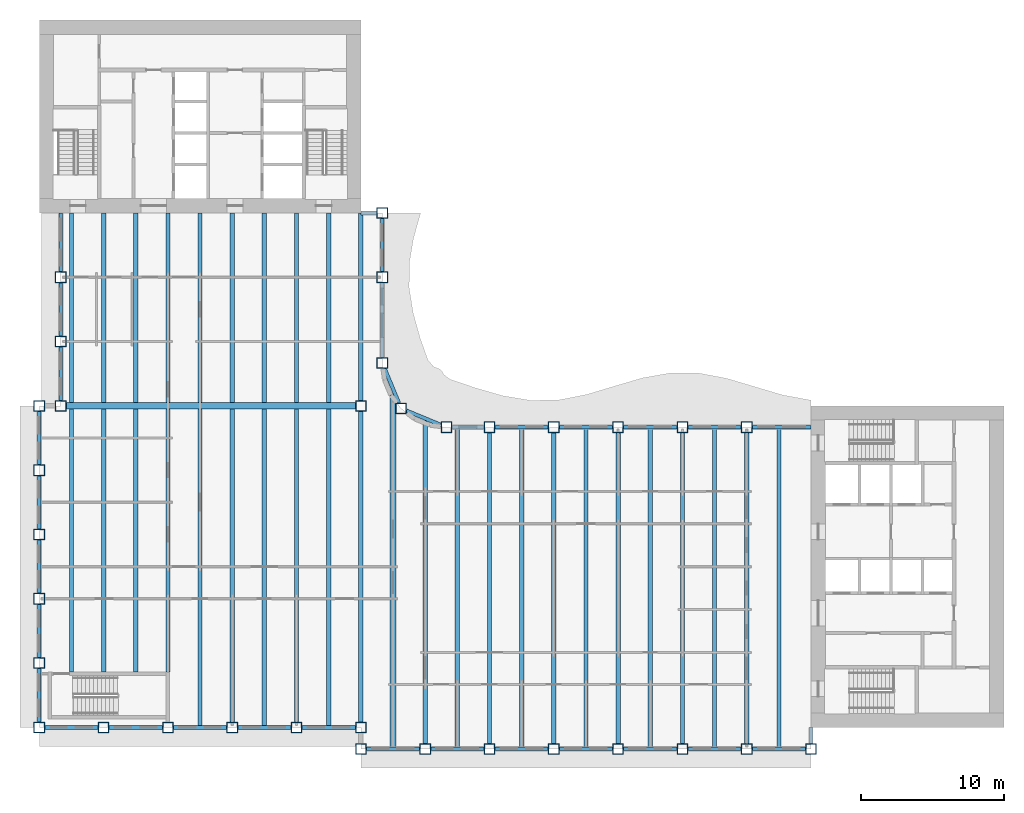
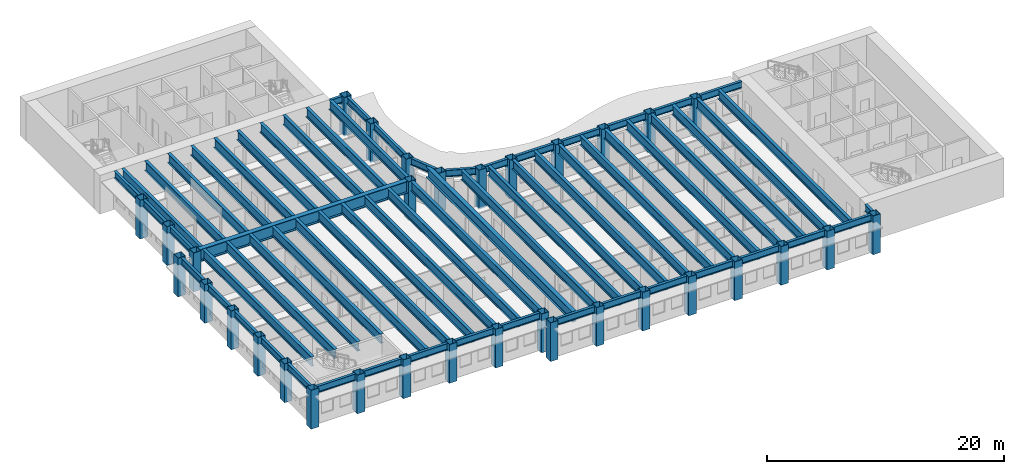
# One storey, part 1 of 17: 66 beams, 33 columns.
"""IFC4 building model written with IfcOpenShell, lengths in metres."""

import ifcopenshell
import ifcopenshell.guid

model = None  # the IFC model being written
_history = None  # IfcOwnerHistory: only IFC2X3 demands one
_inside = {}  # id of a spatial element -> (the spatial element, [elements in it])
_under = {}  # id of a project, library or spatial element -> (it, [spatial elements below it])
_declared = {}  # id of a project -> (the project, [libraries it declares])
_typed = {}  # id of a type object -> (the type object, [elements of that type])
_made_of = {}  # id of a material, layer set ... -> (it, [elements and type objects made of it])


def new_model(schema):
    """Start an empty IFC model of exactly this schema.

    Asked for "IFC4X3", IfcOpenShell would pick the latest addendum, in which some entities
    have other attributes; the version numbers below select the first issue.
    IFC2X3 requires an IfcOwnerHistory on every rooted entity: one is made here for all.
    """
    global model, _history
    if schema == "IFC4X3":
        model = ifcopenshell.file(schema_version=(4, 3, 0, 0))
    else:
        model = ifcopenshell.file(schema=schema)
    _inside.clear()
    _under.clear()
    _declared.clear()
    _typed.clear()
    _made_of.clear()
    _history = None
    if model.schema == "IFC2X3":
        org = make("IfcOrganization", Name="unknown")
        user = make(
            "IfcPersonAndOrganization",
            ThePerson=make("IfcPerson", FamilyName="unknown"),
            TheOrganization=org,
        )
        app = make(
            "IfcApplication",
            ApplicationDeveloper=org,
            Version="unknown",
            ApplicationFullName="unknown",
            ApplicationIdentifier="unknown",
        )
        _history = make(
            "IfcOwnerHistory",
            OwningUser=user,
            OwningApplication=app,
            ChangeAction="ADDED",
            CreationDate=0,
        )
    return model


def make(cls, **values):
    """One entity of the class cls with the attributes given. An attribute that is None is left unset."""
    return model.create_entity(
        cls, **{name: value for name, value in values.items() if value is not None}
    )


def rooted(cls, **values):
    """An entity with a GlobalId (a new one), such as an element, a storey or a relation."""
    return make(cls, GlobalId=ifcopenshell.guid.new(), OwnerHistory=_history, **values)


def si_unit(unit_type, name, prefix=None):
    """IfcSIUnit, for example si_unit("LENGTHUNIT", "METRE", prefix="MILLI")."""
    return make("IfcSIUnit", UnitType=unit_type, Prefix=prefix, Name=name)


def assignment(units):
    """IfcUnitAssignment: the units of a project."""
    return None if units is None else make("IfcUnitAssignment", Units=units)


def point(xyz):
    """IfcCartesianPoint."""
    return None if xyz is None else make("IfcCartesianPoint", Coordinates=xyz)


def direction(xyz):
    """IfcDirection."""
    return None if xyz is None else make("IfcDirection", DirectionRatios=xyz)


def frame(location, z_axis=None, x_axis=None):
    """IfcAxis2Placement3D, a coordinate frame: its origin and axes. An axis left out is left unset."""
    return make(
        "IfcAxis2Placement3D",
        Location=point(location),
        Axis=direction(z_axis),
        RefDirection=direction(x_axis),
    )


def frame_2d(location, x_axis=None):
    """IfcAxis2Placement2D, a coordinate frame in the plane: its origin and x axis."""
    return make(
        "IfcAxis2Placement2D", Location=point(location), RefDirection=direction(x_axis)
    )


def origin():
    """The frame at (0, 0, 0) with its axes left unset."""
    return frame((0.0, 0.0, 0.0))


def origin_2d():
    """The frame at (0, 0) in the plane with its x axis left unset."""
    return frame_2d((0.0, 0.0))


def place(relative_to, where):
    """IfcLocalPlacement: puts the frame where relative to a parent placement (None: the world)."""
    return make(
        "IfcLocalPlacement", PlacementRelTo=relative_to, RelativePlacement=where
    )


def context(
    kind, dimensions, precision=None, world=None, true_north=None, identifier=None
):
    """IfcGeometricRepresentationContext, for example the 3D "Model" context."""
    return make(
        "IfcGeometricRepresentationContext",
        ContextIdentifier=identifier,
        ContextType=kind,
        CoordinateSpaceDimension=dimensions,
        Precision=precision,
        WorldCoordinateSystem=world,
        TrueNorth=true_north,
    )


def subcontext(parent, identifier, kind, view, scale=None):
    """IfcGeometricRepresentationSubContext, for example "Body" below "Model"."""
    return make(
        "IfcGeometricRepresentationSubContext",
        ContextIdentifier=identifier,
        ContextType=kind,
        ParentContext=parent,
        TargetScale=scale,
        TargetView=view,
    )


def project(units=None, contexts=None):
    """IfcProject with its units and contexts."""
    return rooted(
        "IfcProject",
        Name="project",
        RepresentationContexts=contexts,
        UnitsInContext=assignment(units),
    )


def spatial(cls, under=None, at=None, **own):
    """A site, building, storey or space (cls), placed at a placement, below another one or the project."""
    s = rooted(cls, ObjectPlacement=at, **own)
    if under is not None:
        _under.setdefault(under.id(), (under, []))[1].append(s)
    return s


def profile(cls, at=None, kind="AREA", **sizes):
    """A parametric profile (cls). Its sizes go by their IFC names, for example OverallWidth=200.0."""
    return make(cls, ProfileType=kind, Position=at, **sizes)


def hollow_rectangle(**sizes):
    """IfcRectangleHollowProfileDef."""
    return profile("IfcRectangleHollowProfileDef", **sizes)


def i_section(**sizes):
    """IfcIShapeProfileDef."""
    return profile("IfcIShapeProfileDef", **sizes)


def extrude(swept, where, along, depth):
    """IfcExtrudedAreaSolid: the profile swept, set in the frame where, extruded along a direction by depth."""
    return make(
        "IfcExtrudedAreaSolid",
        SweptArea=swept,
        Position=where,
        ExtrudedDirection=direction(along),
        Depth=depth,
    )


def shape(context_of_items, identifier, shape_type, items):
    """IfcShapeRepresentation: the items that make up one representation, for example the "Body"."""
    return make(
        "IfcShapeRepresentation",
        ContextOfItems=context_of_items,
        RepresentationIdentifier=identifier,
        RepresentationType=shape_type,
        Items=items,
    )


def material(Name=None, Category=None):
    """IfcMaterial."""
    return make("IfcMaterial", Name=Name, Category=Category)


def material_profile(
    of_material, cross_section, Name=None, Category=None, Priority=None
):
    """IfcMaterialProfile: a cross section and its material."""
    return make(
        "IfcMaterialProfile",
        Name=Name,
        Material=of_material,
        Profile=cross_section,
        Priority=Priority,
        Category=Category,
    )


def profile_set(profiles, Name=None, composite=None):
    """IfcMaterialProfileSet."""
    return make(
        "IfcMaterialProfileSet",
        Name=Name,
        MaterialProfiles=profiles,
        CompositeProfile=composite,
    )


def made_of(thing, what):
    """Note that an element or type object is made of a material, layer set ...; save() writes the relation."""
    if what is not None:
        _made_of.setdefault(what.id(), (what, []))[1].append(thing)
    return thing


def type_object(cls, material=None, **own):
    """A type object (cls), such as IfcWallType, which elements share."""
    return made_of(rooted(cls, **own), material)


def element(
    cls,
    number,
    at=None,
    inside=None,
    cuts=None,
    type_object=None,
    material=None,
    context=None,
    identifier="Body",
    shape_type=None,
    held_by="IfcProductDefinitionShape",
    body=None,
    shapes=None,
    **own,
):
    """One element of the class cls, such as IfcWall. Its Tag is "e" and its number.

    at: its placement. inside: the storey or other place that contains it. cuts: it is an
    opening in that element (IfcRelVoidsElement). A single representation is given by context,
    identifier, shape_type and body (its items); several are given by shapes. held_by: the class
    of the entity that holds the representations. save() writes the other relations.
    """
    e = rooted(cls, Tag="e%d" % number, ObjectPlacement=at, **own)
    if body is not None:
        shapes = [shape(context, identifier, shape_type, body)]
    if shapes is not None:
        e.Representation = make(held_by, Representations=shapes)
    if inside is not None:
        _inside.setdefault(inside.id(), (inside, []))[1].append(e)
    if cuts is not None:
        rooted(
            "IfcRelVoidsElement", RelatingBuildingElement=cuts, RelatedOpeningElement=e
        )
    if type_object is not None:
        _typed.setdefault(type_object.id(), (type_object, []))[1].append(e)
    return made_of(e, material)


def aggregate(whole, parts):
    """IfcRelAggregates: a whole, such as a stair, and the parts it consists of."""
    return rooted("IfcRelAggregates", RelatingObject=whole, RelatedObjects=parts)


def save(model, path):
    """Write the relations noted so far, then the file.

    IfcRelAggregates (storeys below a building ...), IfcRelContainedInSpatialStructure (elements
    in a storey), IfcRelDefinesByType, IfcRelAssociatesMaterial and IfcRelDeclares: one each for
    every whole, place, type object, material and project.
    """
    for whole, parts in _under.values():
        aggregate(whole, parts)
    for where, things in _inside.values():
        rooted(
            "IfcRelContainedInSpatialStructure",
            RelatedElements=things,
            RelatingStructure=where,
        )
    for kind, things in _typed.values():
        rooted("IfcRelDefinesByType", RelatedObjects=things, RelatingType=kind)
    for what, things in _made_of.values():
        rooted("IfcRelAssociatesMaterial", RelatedObjects=things, RelatingMaterial=what)
    for by, libraries in _declared.values():
        rooted("IfcRelDeclares", RelatingContext=by, RelatedDefinitions=libraries)
    model.write(path)


model = new_model("IFC4")

# Units and contexts
model_context = context("Model", 3, precision=1e-05, world=origin(), true_north=direction((0.0, 1.0)))
body_context = subcontext(model_context, "Body", "Model", "MODEL_VIEW")
ifc_project = project(units=[si_unit("LENGTHUNIT", "METRE"), si_unit("AREAUNIT", "SQUARE_METRE"), si_unit("VOLUMEUNIT", "CUBIC_METRE"), si_unit("PLANEANGLEUNIT", "RADIAN"), si_unit("MASSUNIT", "GRAM", prefix="KILO")], contexts=[model_context])

# Site, building, storey
site_placement = place(None, origin())
site = spatial("IfcSite", under=ifc_project, at=site_placement, CompositionType="ELEMENT")
building_placement = place(site_placement, origin())
building = spatial("IfcBuilding", under=site, at=building_placement, Name="Sennacour Bend Tower", CompositionType="ELEMENT")
storey_placement = place(building_placement, frame((0.0, 0.0, 195.0)))
storey = spatial("IfcBuildingStorey", under=building, at=storey_placement, Name="L44", CompositionType="ELEMENT", Elevation=195.0)

# Columns
ifc_material_1 = material(Name="Steel ASTM A572 Grade 50", Category="steel")
ifc_material_profile_1 = material_profile(ifc_material_1, hollow_rectangle(XDim=0.75, YDim=0.75, WallThickness=0.035888671875, at=origin_2d()), Name="Steel ASTM A572 Grade 50", Category="steel")
ifc_profile_set_1 = profile_set([ifc_material_profile_1], Name="Steel ASTM A572 Grade 50")
column_type = type_object("IfcColumnType", Name="Box column 750", PredefinedType="COLUMN", material=ifc_profile_set_1)
for number, where, z_axis, x_axis, name in (
    (1, (0.0, 0.0, -0.14990234375), (0.0, 0.0, 1.0), (1.0, 0.0, 0.0), "Perimeter column C4 L44-001"),
    (2, (0.0, 4.5, -0.14990234375), (0.0, 0.0, 1.0), (1.0, 0.0, 0.0), "Perimeter column C4 L44-002"),
    (3, (0.0, 9.0, -0.14990234375), (0.0, 0.0, 1.0), (1.0, 0.0, 0.0), "Perimeter column C4 L44-003"),
    (4, (0.0, 13.5, -0.14990234375), (0.0, 0.0, 1.0), (1.0, 0.0, 0.0), "Perimeter column C4 L44-004"),
    (5, (0.0, 18.0, -0.14990234375), (0.0, 0.0, 1.0), (1.0, 0.0, 0.0), "Perimeter column C4 L44-005"),
    (6, (0.0, 22.5, -0.14990234375), (0.0, 0.0, 1.0), (1.0, 0.0, 0.0), "Perimeter column C4 L44-006"),
    (7, (1.5, 22.5, -0.14990234375), (0.0, 0.0, 1.0), (1.0, 0.0, 0.0), "Perimeter column C4 L44-007"),
    (8, (1.5, 27.0, -0.14990234375), (0.0, 0.0, 1.0), (1.0, 0.0, 0.0), "Perimeter column C4 L44-008"),
    (9, (1.5, 31.5, -0.14990234375), (0.0, 0.0, 1.0), (1.0, 0.0, 0.0), "Perimeter column C4 L44-009"),
    (10, (4.5, 0.0, -0.14990234375), (0.0, 0.0, 1.0), (1.0, 0.0, 0.0), "Perimeter column C4 L44-010"),
    (11, (9.0, 0.0, -0.14990234375), (0.0, 0.0, 1.0), (1.0, 0.0, 0.0), "Perimeter column C4 L44-011"),
    (12, (13.5, 0.0, -0.14990234375), (0.0, 0.0, 1.0), (1.0, 0.0, 0.0), "Perimeter column C4 L44-012"),
    (13, (18.0, 0.0, -0.14990234375), (0.0, 0.0, 1.0), (1.0, 0.0, 0.0), "Perimeter column C4 L44-013"),
    (14, (22.5, -1.5, -0.14990234375), (0.0, 0.0, 1.0), (1.0, 0.0, 0.0), "Perimeter column C4 L44-014"),
    (15, (22.5, 0.0, -0.14990234375), (0.0, 0.0, 1.0), (1.0, 0.0, 0.0), "Perimeter column C4 L44-015"),
    (16, (22.5, 22.5, -0.14990234375), (0.0, 0.0, 1.0), (1.0, 0.0, 0.0), "Knuckle column C4 L44-016"),
    (17, (24.0, 25.5, -0.14990234375), (0.0, 0.0, 1.0), (1.0, 0.0, 0.0), "Perimeter column C4 L44-017"),
    (18, (24.0, 31.5, -0.14990234375), (0.0, 0.0, 1.0), (1.0, 0.0, 0.0), "Perimeter column C4 L44-018"),
    (19, (24.0, 36.0, -0.14990234375), (0.0, 0.0, 1.0), (1.0, 0.0, 0.0), "Perimeter column C4 L44-019"),
    (20, (25.318115234375, 22.318115234375, -0.14990234375), (0.0, 0.0, 1.0), (1.0, 0.0, 0.0), "Perimeter column C4 L44-020"),
    (21, (27.0, -1.5, -0.14990234375), (0.0, 0.0, 1.0), (1.0, 0.0, 0.0), "Perimeter column C4 L44-021"),
    (22, (28.5, 21.0, -0.14990234375), (0.0, 0.0, 1.0), (1.0, 0.0, 0.0), "Perimeter column C4 L44-022"),
    (23, (31.5, -1.5, -0.14990234375), (0.0, 0.0, 1.0), (1.0, 0.0, 0.0), "Perimeter column C4 L44-023"),
    (24, (31.5, 21.0, -0.14990234375), (0.0, 0.0, 1.0), (1.0, 0.0, 0.0), "Perimeter column C4 L44-024"),
    (25, (36.0, -1.5, -0.14990234375), (0.0, 0.0, 1.0), (1.0, 0.0, 0.0), "Perimeter column C4 L44-025"),
    (26, (36.0, 21.0, -0.14990234375), (0.0, 0.0, 1.0), (1.0, 0.0, 0.0), "Perimeter column C4 L44-026"),
    (27, (40.5, -1.5, -0.14990234375), (0.0, 0.0, 1.0), (1.0, 0.0, 0.0), "Perimeter column C4 L44-027"),
    (28, (40.5, 21.0, -0.14990234375), (0.0, 0.0, 1.0), (1.0, 0.0, 0.0), "Perimeter column C4 L44-028"),
    (29, (45.0, -1.5, -0.14990234375), (0.0, 0.0, 1.0), (1.0, 0.0, 0.0), "Perimeter column C4 L44-029"),
    (30, (45.0, 21.0, -0.14990234375), (0.0, 0.0, 1.0), (1.0, 0.0, 0.0), "Perimeter column C4 L44-030"),
    (31, (49.5, -1.5, -0.14990234375), (0.0, 0.0, 1.0), (1.0, 0.0, 0.0), "Perimeter column C4 L44-031"),
    (32, (49.5, 21.0, -0.14990234375), (0.0, 0.0, 1.0), (1.0, 0.0, 0.0), "Perimeter column C4 L44-032"),
    (33, (54.0, -1.5, -0.14990234375), (0.0, 0.0, 1.0), (1.0, 0.0, 0.0), "Perimeter column C4 L44-033"),
):
    element("IfcColumn", number, at=place(storey_placement, frame(where, z_axis=z_axis, x_axis=x_axis)), inside=storey, type_object=column_type, Name=name, PredefinedType="COLUMN", context=body_context, shape_type="SweptSolid", body=[
        extrude(hollow_rectangle(XDim=0.75, YDim=0.75, WallThickness=0.035888671875, at=origin_2d()), origin(), (0.0, 0.0, 1.0), 4.0),
    ])

# Beams
ifc_material_2 = material(Name="Steel ASTM A992 Grade 50", Category="steel")
ifc_material_profile_2 = material_profile(ifc_material_2, i_section(OverallWidth=0.300048828125, OverallDepth=0.97998046875, WebThickness=0.0166015625, FlangeThickness=0.026123046875, FilletRadius=0.02978515625, at=origin_2d()), Name="Steel ASTM A992 Grade 50", Category="steel")
ifc_profile_set_2 = profile_set([ifc_material_profile_2], Name="Steel ASTM A992 Grade 50")
beam_type_1 = type_object("IfcBeamType", Name="Floor beam W1000X249", PredefinedType="BEAM", material=ifc_profile_set_2)
beam_1_placement = place(storey_placement, frame((2.25, 3.875, 3.360107421875), z_axis=(0.0, 1.0, 0.0), x_axis=(-1.0, 0.0, 0.0)))
element("IfcBeam", 34, at=beam_1_placement, inside=storey, type_object=beam_type_1, Name="Floor beam FBM2 L45-001", PredefinedType="BEAM", context=body_context, shape_type="SweptSolid", body=[
    extrude(i_section(OverallWidth=0.300048828125, OverallDepth=0.97998046875, WebThickness=0.0166015625, FlangeThickness=0.026123046875, FilletRadius=0.02978515625, at=origin_2d()), origin(), (0.0, 0.0, 1.0), 18.39990234375),
])
beam_2_placement = place(storey_placement, frame((2.25, 22.72509765625, 3.360107421875), z_axis=(0.0, 1.0, 0.0), x_axis=(-1.0, 0.0, 0.0)))
element("IfcBeam", 35, at=beam_2_placement, inside=storey, type_object=beam_type_1, Name="Floor beam FBM2 L45-002", PredefinedType="BEAM", context=body_context, shape_type="SweptSolid", body=[
    extrude(i_section(OverallWidth=0.300048828125, OverallDepth=0.97998046875, WebThickness=0.0166015625, FlangeThickness=0.026123046875, FilletRadius=0.02978515625, at=origin_2d()), origin(), (0.0, 0.0, 1.0), 13.27490234375),
])
beam_3_placement = place(storey_placement, frame((4.5, 3.875, 3.360107421875), z_axis=(0.0, 1.0, 0.0), x_axis=(-1.0, 0.0, 0.0)))
element("IfcBeam", 36, at=beam_3_placement, inside=storey, type_object=beam_type_1, Name="Floor beam FBM2 L45-003", PredefinedType="BEAM", context=body_context, shape_type="SweptSolid", body=[
    extrude(i_section(OverallWidth=0.300048828125, OverallDepth=0.97998046875, WebThickness=0.0166015625, FlangeThickness=0.026123046875, FilletRadius=0.02978515625, at=origin_2d()), origin(), (0.0, 0.0, 1.0), 18.39990234375),
])
beam_4_placement = place(storey_placement, frame((4.5, 22.72509765625, 3.360107421875), z_axis=(0.0, 1.0, 0.0), x_axis=(-1.0, 0.0, 0.0)))
element("IfcBeam", 37, at=beam_4_placement, inside=storey, type_object=beam_type_1, Name="Floor beam FBM2 L45-004", PredefinedType="BEAM", context=body_context, shape_type="SweptSolid", body=[
    extrude(i_section(OverallWidth=0.300048828125, OverallDepth=0.97998046875, WebThickness=0.0166015625, FlangeThickness=0.026123046875, FilletRadius=0.02978515625, at=origin_2d()), origin(), (0.0, 0.0, 1.0), 13.27490234375),
])
beam_5_placement = place(storey_placement, frame((6.75, 3.875, 3.360107421875), z_axis=(0.0, 1.0, 0.0), x_axis=(-1.0, 0.0, 0.0)))
element("IfcBeam", 38, at=beam_5_placement, inside=storey, type_object=beam_type_1, Name="Floor beam FBM2 L45-005", PredefinedType="BEAM", context=body_context, shape_type="SweptSolid", body=[
    extrude(i_section(OverallWidth=0.300048828125, OverallDepth=0.97998046875, WebThickness=0.0166015625, FlangeThickness=0.026123046875, FilletRadius=0.02978515625, at=origin_2d()), origin(), (0.0, 0.0, 1.0), 18.39990234375),
])
beam_6_placement = place(storey_placement, frame((6.75, 22.72509765625, 3.360107421875), z_axis=(0.0, 1.0, 0.0), x_axis=(-1.0, 0.0, 0.0)))
element("IfcBeam", 39, at=beam_6_placement, inside=storey, type_object=beam_type_1, Name="Floor beam FBM2 L45-006", PredefinedType="BEAM", context=body_context, shape_type="SweptSolid", body=[
    extrude(i_section(OverallWidth=0.300048828125, OverallDepth=0.97998046875, WebThickness=0.0166015625, FlangeThickness=0.026123046875, FilletRadius=0.02978515625, at=origin_2d()), origin(), (0.0, 0.0, 1.0), 13.27490234375),
])
beam_7_placement = place(storey_placement, frame((9.0, 3.875, 3.360107421875), z_axis=(0.0, 1.0, 0.0), x_axis=(-1.0, 0.0, 0.0)))
element("IfcBeam", 40, at=beam_7_placement, inside=storey, type_object=beam_type_1, Name="Floor beam FBM2 L45-007", PredefinedType="BEAM", context=body_context, shape_type="SweptSolid", body=[
    extrude(i_section(OverallWidth=0.300048828125, OverallDepth=0.97998046875, WebThickness=0.0166015625, FlangeThickness=0.026123046875, FilletRadius=0.02978515625, at=origin_2d()), origin(), (0.0, 0.0, 1.0), 18.39990234375),
])
beam_8_placement = place(storey_placement, frame((9.0, 22.72509765625, 3.360107421875), z_axis=(0.0, 1.0, 0.0), x_axis=(-1.0, 0.0, 0.0)))
element("IfcBeam", 41, at=beam_8_placement, inside=storey, type_object=beam_type_1, Name="Floor beam FBM2 L45-008", PredefinedType="BEAM", context=body_context, shape_type="SweptSolid", body=[
    extrude(i_section(OverallWidth=0.300048828125, OverallDepth=0.97998046875, WebThickness=0.0166015625, FlangeThickness=0.026123046875, FilletRadius=0.02978515625, at=origin_2d()), origin(), (0.0, 0.0, 1.0), 13.27490234375),
])
beam_9_placement = place(storey_placement, frame((11.25, 0.12841796875, 3.360107421875), z_axis=(0.0, 1.0, 0.0), x_axis=(-1.0, 0.0, 0.0)))
element("IfcBeam", 42, at=beam_9_placement, inside=storey, type_object=beam_type_1, Name="Floor beam FBM2 L45-009", PredefinedType="BEAM", context=body_context, shape_type="SweptSolid", body=[
    extrude(i_section(OverallWidth=0.300048828125, OverallDepth=0.97998046875, WebThickness=0.0166015625, FlangeThickness=0.026123046875, FilletRadius=0.02978515625, at=origin_2d()), origin(), (0.0, 0.0, 1.0), 22.146484375),
])
beam_10_placement = place(storey_placement, frame((11.25, 22.72509765625, 3.360107421875), z_axis=(0.0, 1.0, 0.0), x_axis=(-1.0, 0.0, 0.0)))
element("IfcBeam", 43, at=beam_10_placement, inside=storey, type_object=beam_type_1, Name="Floor beam FBM2 L45-010", PredefinedType="BEAM", context=body_context, shape_type="SweptSolid", body=[
    extrude(i_section(OverallWidth=0.300048828125, OverallDepth=0.97998046875, WebThickness=0.0166015625, FlangeThickness=0.026123046875, FilletRadius=0.02978515625, at=origin_2d()), origin(), (0.0, 0.0, 1.0), 13.27490234375),
])
beam_11_placement = place(storey_placement, frame((13.5, 0.375, 3.360107421875), z_axis=(0.0, 1.0, 0.0), x_axis=(-1.0, 0.0, 0.0)))
element("IfcBeam", 44, at=beam_11_placement, inside=storey, type_object=beam_type_1, Name="Floor beam FBM2 L45-011", PredefinedType="BEAM", context=body_context, shape_type="SweptSolid", body=[
    extrude(i_section(OverallWidth=0.300048828125, OverallDepth=0.97998046875, WebThickness=0.0166015625, FlangeThickness=0.026123046875, FilletRadius=0.02978515625, at=origin_2d()), origin(), (0.0, 0.0, 1.0), 21.89990234375),
])
beam_12_placement = place(storey_placement, frame((13.5, 22.72509765625, 3.360107421875), z_axis=(0.0, 1.0, 0.0), x_axis=(-1.0, 0.0, 0.0)))
element("IfcBeam", 45, at=beam_12_placement, inside=storey, type_object=beam_type_1, Name="Floor beam FBM2 L45-012", PredefinedType="BEAM", context=body_context, shape_type="SweptSolid", body=[
    extrude(i_section(OverallWidth=0.300048828125, OverallDepth=0.97998046875, WebThickness=0.0166015625, FlangeThickness=0.026123046875, FilletRadius=0.02978515625, at=origin_2d()), origin(), (0.0, 0.0, 1.0), 13.27490234375),
])
beam_13_placement = place(storey_placement, frame((15.75, 0.12841796875, 3.360107421875), z_axis=(0.0, 1.0, 0.0), x_axis=(-1.0, 0.0, 0.0)))
element("IfcBeam", 46, at=beam_13_placement, inside=storey, type_object=beam_type_1, Name="Floor beam FBM2 L45-013", PredefinedType="BEAM", context=body_context, shape_type="SweptSolid", body=[
    extrude(i_section(OverallWidth=0.300048828125, OverallDepth=0.97998046875, WebThickness=0.0166015625, FlangeThickness=0.026123046875, FilletRadius=0.02978515625, at=origin_2d()), origin(), (0.0, 0.0, 1.0), 22.146484375),
])
beam_14_placement = place(storey_placement, frame((15.75, 22.72509765625, 3.360107421875), z_axis=(0.0, 1.0, 0.0), x_axis=(-1.0, 0.0, 0.0)))
element("IfcBeam", 47, at=beam_14_placement, inside=storey, type_object=beam_type_1, Name="Floor beam FBM2 L45-014", PredefinedType="BEAM", context=body_context, shape_type="SweptSolid", body=[
    extrude(i_section(OverallWidth=0.300048828125, OverallDepth=0.97998046875, WebThickness=0.0166015625, FlangeThickness=0.026123046875, FilletRadius=0.02978515625, at=origin_2d()), origin(), (0.0, 0.0, 1.0), 13.27490234375),
])
beam_15_placement = place(storey_placement, frame((18.0, 0.375, 3.360107421875), z_axis=(0.0, 1.0, 0.0), x_axis=(-1.0, 0.0, 0.0)))
element("IfcBeam", 48, at=beam_15_placement, inside=storey, type_object=beam_type_1, Name="Floor beam FBM2 L45-015", PredefinedType="BEAM", context=body_context, shape_type="SweptSolid", body=[
    extrude(i_section(OverallWidth=0.300048828125, OverallDepth=0.97998046875, WebThickness=0.0166015625, FlangeThickness=0.026123046875, FilletRadius=0.02978515625, at=origin_2d()), origin(), (0.0, 0.0, 1.0), 21.89990234375),
])
beam_16_placement = place(storey_placement, frame((18.0, 22.72509765625, 3.360107421875), z_axis=(0.0, 1.0, 0.0), x_axis=(-1.0, 0.0, 0.0)))
element("IfcBeam", 49, at=beam_16_placement, inside=storey, type_object=beam_type_1, Name="Floor beam FBM2 L45-016", PredefinedType="BEAM", context=body_context, shape_type="SweptSolid", body=[
    extrude(i_section(OverallWidth=0.300048828125, OverallDepth=0.97998046875, WebThickness=0.0166015625, FlangeThickness=0.026123046875, FilletRadius=0.02978515625, at=origin_2d()), origin(), (0.0, 0.0, 1.0), 13.27490234375),
])
beam_17_placement = place(storey_placement, frame((20.25, 0.12841796875, 3.360107421875), z_axis=(0.0, 1.0, 0.0), x_axis=(-1.0, 0.0, 0.0)))
element("IfcBeam", 50, at=beam_17_placement, inside=storey, type_object=beam_type_1, Name="Floor beam FBM2 L45-017", PredefinedType="BEAM", context=body_context, shape_type="SweptSolid", body=[
    extrude(i_section(OverallWidth=0.300048828125, OverallDepth=0.97998046875, WebThickness=0.0166015625, FlangeThickness=0.026123046875, FilletRadius=0.02978515625, at=origin_2d()), origin(), (0.0, 0.0, 1.0), 22.146484375),
])
beam_18_placement = place(storey_placement, frame((20.25, 22.72509765625, 3.360107421875), z_axis=(0.0, 1.0, 0.0), x_axis=(-1.0, 0.0, 0.0)))
element("IfcBeam", 51, at=beam_18_placement, inside=storey, type_object=beam_type_1, Name="Floor beam FBM2 L45-018", PredefinedType="BEAM", context=body_context, shape_type="SweptSolid", body=[
    extrude(i_section(OverallWidth=0.300048828125, OverallDepth=0.97998046875, WebThickness=0.0166015625, FlangeThickness=0.026123046875, FilletRadius=0.02978515625, at=origin_2d()), origin(), (0.0, 0.0, 1.0), 13.27490234375),
])
beam_19_placement = place(storey_placement, frame((22.5, 0.375, 3.360107421875), z_axis=(0.0, 1.0, 0.0), x_axis=(-1.0, 0.0, 0.0)))
element("IfcBeam", 52, at=beam_19_placement, inside=storey, type_object=beam_type_1, Name="Floor beam FBM2 L45-019", PredefinedType="BEAM", context=body_context, shape_type="SweptSolid", body=[
    extrude(i_section(OverallWidth=0.300048828125, OverallDepth=0.97998046875, WebThickness=0.0166015625, FlangeThickness=0.026123046875, FilletRadius=0.02978515625, at=origin_2d()), origin(), (0.0, 0.0, 1.0), 21.75),
])
beam_20_placement = place(storey_placement, frame((22.5, 22.875, 3.360107421875), z_axis=(0.0, 1.0, 0.0), x_axis=(-1.0, 0.0, 0.0)))
element("IfcBeam", 53, at=beam_20_placement, inside=storey, type_object=beam_type_1, Name="Floor beam FBM2 L45-020", PredefinedType="BEAM", context=body_context, shape_type="SweptSolid", body=[
    extrude(i_section(OverallWidth=0.300048828125, OverallDepth=0.97998046875, WebThickness=0.0166015625, FlangeThickness=0.026123046875, FilletRadius=0.02978515625, at=origin_2d()), origin(), (0.0, 0.0, 1.0), 13.125),
])
beam_21_placement = place(storey_placement, frame((27.0, -1.125, 3.360107421875), z_axis=(0.0, 1.0, 0.0), x_axis=(-1.0, 0.0, 0.0)))
element("IfcBeam", 54, at=beam_21_placement, inside=storey, type_object=beam_type_1, Name="Floor beam FBM2 L45-022", PredefinedType="BEAM", context=body_context, shape_type="SweptSolid", body=[
    extrude(i_section(OverallWidth=0.300048828125, OverallDepth=0.97998046875, WebThickness=0.0166015625, FlangeThickness=0.026123046875, FilletRadius=0.02978515625, at=origin_2d()), origin(), (0.0, 0.0, 1.0), 22.607177734375),
])
beam_22_placement = place(storey_placement, frame((29.25, -1.37158203125, 3.360107421875), z_axis=(0.0, 1.0, 0.0), x_axis=(-1.0, 0.0, 0.0)))
element("IfcBeam", 55, at=beam_22_placement, inside=storey, type_object=beam_type_1, Name="Floor beam FBM2 L45-023", PredefinedType="BEAM", context=body_context, shape_type="SweptSolid", body=[
    extrude(i_section(OverallWidth=0.300048828125, OverallDepth=0.97998046875, WebThickness=0.0166015625, FlangeThickness=0.026123046875, FilletRadius=0.02978515625, at=origin_2d()), origin(), (0.0, 0.0, 1.0), 22.2431640625),
])
beam_23_placement = place(storey_placement, frame((31.5, -1.125, 3.360107421875), z_axis=(0.0, 1.0, 0.0), x_axis=(-1.0, 0.0, 0.0)))
element("IfcBeam", 56, at=beam_23_placement, inside=storey, type_object=beam_type_1, Name="Floor beam FBM2 L45-024", PredefinedType="BEAM", context=body_context, shape_type="SweptSolid", body=[
    extrude(i_section(OverallWidth=0.300048828125, OverallDepth=0.97998046875, WebThickness=0.0166015625, FlangeThickness=0.026123046875, FilletRadius=0.02978515625, at=origin_2d()), origin(), (0.0, 0.0, 1.0), 21.75),
])
beam_24_placement = place(storey_placement, frame((33.75, -1.37158203125, 3.360107421875), z_axis=(0.0, 1.0, 0.0), x_axis=(-1.0, 0.0, 0.0)))
element("IfcBeam", 57, at=beam_24_placement, inside=storey, type_object=beam_type_1, Name="Floor beam FBM2 L45-025", PredefinedType="BEAM", context=body_context, shape_type="SweptSolid", body=[
    extrude(i_section(OverallWidth=0.300048828125, OverallDepth=0.97998046875, WebThickness=0.0166015625, FlangeThickness=0.026123046875, FilletRadius=0.02978515625, at=origin_2d()), origin(), (0.0, 0.0, 1.0), 22.2431640625),
])
beam_25_placement = place(storey_placement, frame((36.0, -1.125, 3.360107421875), z_axis=(0.0, 1.0, 0.0), x_axis=(-1.0, 0.0, 0.0)))
element("IfcBeam", 58, at=beam_25_placement, inside=storey, type_object=beam_type_1, Name="Floor beam FBM2 L45-026", PredefinedType="BEAM", context=body_context, shape_type="SweptSolid", body=[
    extrude(i_section(OverallWidth=0.300048828125, OverallDepth=0.97998046875, WebThickness=0.0166015625, FlangeThickness=0.026123046875, FilletRadius=0.02978515625, at=origin_2d()), origin(), (0.0, 0.0, 1.0), 21.75),
])
beam_26_placement = place(storey_placement, frame((38.25, -1.37158203125, 3.360107421875), z_axis=(0.0, 1.0, 0.0), x_axis=(-1.0, 0.0, 0.0)))
element("IfcBeam", 59, at=beam_26_placement, inside=storey, type_object=beam_type_1, Name="Floor beam FBM2 L45-027", PredefinedType="BEAM", context=body_context, shape_type="SweptSolid", body=[
    extrude(i_section(OverallWidth=0.300048828125, OverallDepth=0.97998046875, WebThickness=0.0166015625, FlangeThickness=0.026123046875, FilletRadius=0.02978515625, at=origin_2d()), origin(), (0.0, 0.0, 1.0), 22.2431640625),
])
beam_27_placement = place(storey_placement, frame((40.5, -1.125, 3.360107421875), z_axis=(0.0, 1.0, 0.0), x_axis=(-1.0, 0.0, 0.0)))
element("IfcBeam", 60, at=beam_27_placement, inside=storey, type_object=beam_type_1, Name="Floor beam FBM2 L45-028", PredefinedType="BEAM", context=body_context, shape_type="SweptSolid", body=[
    extrude(i_section(OverallWidth=0.300048828125, OverallDepth=0.97998046875, WebThickness=0.0166015625, FlangeThickness=0.026123046875, FilletRadius=0.02978515625, at=origin_2d()), origin(), (0.0, 0.0, 1.0), 21.75),
])
beam_28_placement = place(storey_placement, frame((42.75, -1.37158203125, 3.360107421875), z_axis=(0.0, 1.0, 0.0), x_axis=(-1.0, 0.0, 0.0)))
element("IfcBeam", 61, at=beam_28_placement, inside=storey, type_object=beam_type_1, Name="Floor beam FBM2 L45-029", PredefinedType="BEAM", context=body_context, shape_type="SweptSolid", body=[
    extrude(i_section(OverallWidth=0.300048828125, OverallDepth=0.97998046875, WebThickness=0.0166015625, FlangeThickness=0.026123046875, FilletRadius=0.02978515625, at=origin_2d()), origin(), (0.0, 0.0, 1.0), 22.2431640625),
])
beam_29_placement = place(storey_placement, frame((45.0, -1.125, 3.360107421875), z_axis=(0.0, 1.0, 0.0), x_axis=(-1.0, 0.0, 0.0)))
element("IfcBeam", 62, at=beam_29_placement, inside=storey, type_object=beam_type_1, Name="Floor beam FBM2 L45-030", PredefinedType="BEAM", context=body_context, shape_type="SweptSolid", body=[
    extrude(i_section(OverallWidth=0.300048828125, OverallDepth=0.97998046875, WebThickness=0.0166015625, FlangeThickness=0.026123046875, FilletRadius=0.02978515625, at=origin_2d()), origin(), (0.0, 0.0, 1.0), 21.75),
])
beam_30_placement = place(storey_placement, frame((47.25, -1.37158203125, 3.360107421875), z_axis=(0.0, 1.0, 0.0), x_axis=(-1.0, 0.0, 0.0)))
element("IfcBeam", 63, at=beam_30_placement, inside=storey, type_object=beam_type_1, Name="Floor beam FBM2 L45-031", PredefinedType="BEAM", context=body_context, shape_type="SweptSolid", body=[
    extrude(i_section(OverallWidth=0.300048828125, OverallDepth=0.97998046875, WebThickness=0.0166015625, FlangeThickness=0.026123046875, FilletRadius=0.02978515625, at=origin_2d()), origin(), (0.0, 0.0, 1.0), 22.2431640625),
])
beam_31_placement = place(storey_placement, frame((49.5, -1.125, 3.360107421875), z_axis=(0.0, 1.0, 0.0), x_axis=(-1.0, 0.0, 0.0)))
element("IfcBeam", 64, at=beam_31_placement, inside=storey, type_object=beam_type_1, Name="Floor beam FBM2 L45-032", PredefinedType="BEAM", context=body_context, shape_type="SweptSolid", body=[
    extrude(i_section(OverallWidth=0.300048828125, OverallDepth=0.97998046875, WebThickness=0.0166015625, FlangeThickness=0.026123046875, FilletRadius=0.02978515625, at=origin_2d()), origin(), (0.0, 0.0, 1.0), 21.75),
])
beam_32_placement = place(storey_placement, frame((51.75, -1.37158203125, 3.360107421875), z_axis=(0.0, 1.0, 0.0), x_axis=(-1.0, 0.0, 0.0)))
element("IfcBeam", 65, at=beam_32_placement, inside=storey, type_object=beam_type_1, Name="Floor beam FBM2 L45-033", PredefinedType="BEAM", context=body_context, shape_type="SweptSolid", body=[
    extrude(i_section(OverallWidth=0.300048828125, OverallDepth=0.97998046875, WebThickness=0.0166015625, FlangeThickness=0.026123046875, FilletRadius=0.02978515625, at=origin_2d()), origin(), (0.0, 0.0, 1.0), 22.2431640625),
])
ifc_material_profile_3 = material_profile(ifc_material_1, i_section(OverallWidth=0.449951171875, OverallDepth=1.25, WebThickness=0.028076171875, FlangeThickness=0.050048828125, at=origin_2d()), Name="Steel ASTM A572 Grade 50", Category="steel")
ifc_profile_set_3 = profile_set([ifc_material_profile_3], Name="Steel ASTM A572 Grade 50")
beam_type_2 = type_object("IfcBeamType", Name="Knuckle girder 1250", PredefinedType="USERDEFINED", material=ifc_profile_set_3)
beam_33_placement = place(storey_placement, frame((1.875, 22.5, 3.22509765625), z_axis=(1.0, 0.0, 0.0), x_axis=(0.0, 1.0, 0.0)))
element("IfcBeam", 66, at=beam_33_placement, inside=storey, type_object=beam_type_2, Name="Knuckle girder GK L45-001", ObjectType="KNUCKLE GIRDER", PredefinedType="USERDEFINED", context=body_context, shape_type="SweptSolid", body=[
    extrude(i_section(OverallWidth=0.449951171875, OverallDepth=1.25, WebThickness=0.028076171875, FlangeThickness=0.050048828125, at=origin_2d()), origin(), (0.0, 0.0, 1.0), 20.25),
])
ifc_material_profile_4 = material_profile(ifc_material_2, i_section(OverallWidth=0.40087890625, OverallDepth=1.090087890625, WebThickness=0.01806640625, FlangeThickness=0.031005859375, FilletRadius=0.02001953125, at=origin_2d()), Name="Steel ASTM A992 Grade 50", Category="steel")
ifc_profile_set_4 = profile_set([ifc_material_profile_4], Name="Steel ASTM A992 Grade 50")
beam_type_3 = type_object("IfcBeamType", Name="Notch floor beam W1100X343", PredefinedType="BEAM", material=ifc_profile_set_4)
beam_34_placement = place(storey_placement, frame((24.75, -1.37158203125, 3.304931640625), z_axis=(0.0, 1.0, 0.0), x_axis=(-1.0, 0.0, 0.0)))
element("IfcBeam", 67, at=beam_34_placement, inside=storey, type_object=beam_type_3, Name="Floor beam FBM4 L45-021", PredefinedType="BEAM", context=body_context, shape_type="SweptSolid", body=[
    extrude(i_section(OverallWidth=0.40087890625, OverallDepth=1.090087890625, WebThickness=0.01806640625, FlangeThickness=0.031005859375, FilletRadius=0.02001953125, at=origin_2d()), origin(), (0.0, 0.0, 1.0), 24.72509765625),
])
ifc_material_profile_5 = material_profile(ifc_material_2, i_section(OverallWidth=0.257080078125, OverallDepth=0.693115234375, WebThickness=0.014404296875, FlangeThickness=0.023681640625, FilletRadius=0.015380859375, at=origin_2d()), Name="Steel ASTM A992 Grade 50", Category="steel")
ifc_profile_set_5 = profile_set([ifc_material_profile_5], Name="Steel ASTM A992 Grade 50")
beam_type_4 = type_object("IfcBeamType", Name="Spandrel beam W690X170", PredefinedType="SPANDREL", material=ifc_profile_set_5)
for number, where, z_axis, x_axis, name in (
    (68, (22.125, 0.0, 3.50341796875), (-1.0, 0.0, 0.0), (0.0, -1.0, 0.0), "Spandrel beam SP5 L45-001"),
    (69, (17.625, 0.0, 3.50341796875), (-1.0, 0.0, 0.0), (0.0, -1.0, 0.0), "Spandrel beam SP5 L45-002"),
    (70, (13.125, 0.0, 3.50341796875), (-1.0, 0.0, 0.0), (0.0, -1.0, 0.0), "Spandrel beam SP5 L45-003"),
    (71, (8.625, 0.0, 3.50341796875), (-1.0, 0.0, 0.0), (0.0, -1.0, 0.0), "Spandrel beam SP5 L45-004"),
    (72, (4.125, 0.0, 3.50341796875), (-1.0, 0.0, 0.0), (0.0, -1.0, 0.0), "Spandrel beam SP5 L45-005"),
    (73, (0.0, 0.375, 3.50341796875), (0.0, 1.0, 0.0), (-1.0, 0.0, 0.0), "Spandrel beam SP5 L45-006"),
    (74, (0.0, 4.875, 3.50341796875), (0.0, 1.0, 0.0), (-1.0, 0.0, 0.0), "Spandrel beam SP5 L45-007"),
    (75, (0.0, 9.375, 3.50341796875), (0.0, 1.0, 0.0), (-1.0, 0.0, 0.0), "Spandrel beam SP5 L45-008"),
    (76, (0.0, 13.875, 3.50341796875), (0.0, 1.0, 0.0), (-1.0, 0.0, 0.0), "Spandrel beam SP5 L45-009"),
    (77, (0.0, 18.375, 3.50341796875), (0.0, 1.0, 0.0), (-1.0, 0.0, 0.0), "Spandrel beam SP5 L45-010"),
    (78, (1.5, 22.875, 3.50341796875), (0.0, 1.0, 0.0), (-1.0, 0.0, 0.0), "Spandrel beam SP5 L45-011"),
    (79, (1.5, 27.375, 3.50341796875), (0.0, 1.0, 0.0), (-1.0, 0.0, 0.0), "Spandrel beam SP5 L45-012"),
):
    element("IfcBeam", number, at=place(storey_placement, frame(where, z_axis=z_axis, x_axis=x_axis)), inside=storey, type_object=beam_type_4, Name=name, PredefinedType="SPANDREL", context=body_context, shape_type="SweptSolid", body=[
        extrude(i_section(OverallWidth=0.257080078125, OverallDepth=0.693115234375, WebThickness=0.014404296875, FlangeThickness=0.023681640625, FilletRadius=0.015380859375, at=origin_2d()), origin(), (0.0, 0.0, 1.0), 3.75),
    ])
beam_35_placement = place(storey_placement, frame((1.5, 31.875, 3.50341796875), z_axis=(0.0, 1.0, 0.0), x_axis=(-1.0, 0.0, 0.0)))
element("IfcBeam", 80, at=beam_35_placement, inside=storey, type_object=beam_type_4, Name="Spandrel beam SP5 L45-013", PredefinedType="SPANDREL", context=body_context, shape_type="SweptSolid", body=[
    extrude(i_section(OverallWidth=0.257080078125, OverallDepth=0.693115234375, WebThickness=0.014404296875, FlangeThickness=0.023681640625, FilletRadius=0.015380859375, at=origin_2d()), origin(), (0.0, 0.0, 1.0), 4.125),
])
beam_36_placement = place(storey_placement, frame((22.5, 36.0, 3.50341796875), z_axis=(1.0, 0.0, 0.0), x_axis=(0.0, 1.0, 0.0)))
element("IfcBeam", 81, at=beam_36_placement, inside=storey, type_object=beam_type_4, Name="Spandrel beam SP5 L45-014", PredefinedType="SPANDREL", context=body_context, shape_type="SweptSolid", body=[
    extrude(i_section(OverallWidth=0.257080078125, OverallDepth=0.693115234375, WebThickness=0.014404296875, FlangeThickness=0.023681640625, FilletRadius=0.015380859375, at=origin_2d()), origin(), (0.0, 0.0, 1.0), 1.125),
])
beam_37_placement = place(storey_placement, frame((24.0, 35.625, 3.50341796875), z_axis=(0.0, -1.0, 0.0), x_axis=(1.0, 0.0, 0.0)))
element("IfcBeam", 82, at=beam_37_placement, inside=storey, type_object=beam_type_4, Name="Spandrel beam SP5 L45-015", PredefinedType="SPANDREL", context=body_context, shape_type="SweptSolid", body=[
    extrude(i_section(OverallWidth=0.257080078125, OverallDepth=0.693115234375, WebThickness=0.014404296875, FlangeThickness=0.023681640625, FilletRadius=0.015380859375, at=origin_2d()), origin(), (0.0, 0.0, 1.0), 3.75),
])
beam_38_placement = place(storey_placement, frame((24.0, 31.125, 3.50341796875), z_axis=(0.0, -1.0, 0.0), x_axis=(1.0, 0.0, 0.0)))
element("IfcBeam", 83, at=beam_38_placement, inside=storey, type_object=beam_type_4, Name="Spandrel beam SP5 L45-016", PredefinedType="SPANDREL", context=body_context, shape_type="SweptSolid", body=[
    extrude(i_section(OverallWidth=0.257080078125, OverallDepth=0.693115234375, WebThickness=0.014404296875, FlangeThickness=0.023681640625, FilletRadius=0.015380859375, at=origin_2d()), origin(), (0.0, 0.0, 1.0), 5.25),
])
for number, where, z_axis, x_axis, name in (
    (84, (24.1552734375, 25.125, 3.50341796875), (0.382684913195, -0.92387891913, 0.0), (0.92387891913, 0.382684913195, 0.0), "Spandrel beam SP5 L45-017"),
    (85, (25.693115234375, 22.16259765625, 3.50341796875), (0.92387891913, -0.382684913195, 0.0), (0.382684913195, 0.92387891913, 0.0), "Spandrel beam SP5 L45-018"),
):
    element("IfcBeam", number, at=place(storey_placement, frame(where, z_axis=z_axis, x_axis=x_axis)), inside=storey, type_object=beam_type_4, Name=name, PredefinedType="SPANDREL", context=body_context, shape_type="SweptSolid", body=[
        extrude(i_section(OverallWidth=0.257080078125, OverallDepth=0.693115234375, WebThickness=0.014404296875, FlangeThickness=0.023681640625, FilletRadius=0.015380859375, at=origin_2d()), origin(), (0.0, 0.0, 1.0), 2.63232421875),
    ])
beam_39_placement = place(storey_placement, frame((28.875, 21.0, 3.50341796875), z_axis=(1.0, 0.0, 0.0), x_axis=(0.0, 1.0, 0.0)))
element("IfcBeam", 86, at=beam_39_placement, inside=storey, type_object=beam_type_4, Name="Spandrel beam SP5 L45-019", PredefinedType="SPANDREL", context=body_context, shape_type="SweptSolid", body=[
    extrude(i_section(OverallWidth=0.257080078125, OverallDepth=0.693115234375, WebThickness=0.014404296875, FlangeThickness=0.023681640625, FilletRadius=0.015380859375, at=origin_2d()), origin(), (0.0, 0.0, 1.0), 2.25),
])
for number, where, z_axis, x_axis, name in (
    (87, (31.875, 21.0, 3.50341796875), (1.0, 0.0, 0.0), (0.0, 1.0, 0.0), "Spandrel beam SP5 L45-020"),
    (88, (36.375, 21.0, 3.50341796875), (1.0, 0.0, 0.0), (0.0, 1.0, 0.0), "Spandrel beam SP5 L45-021"),
    (89, (40.875, 21.0, 3.50341796875), (1.0, 0.0, 0.0), (0.0, 1.0, 0.0), "Spandrel beam SP5 L45-022"),
    (90, (45.375, 21.0, 3.50341796875), (1.0, 0.0, 0.0), (0.0, 1.0, 0.0), "Spandrel beam SP5 L45-023"),
):
    element("IfcBeam", number, at=place(storey_placement, frame(where, z_axis=z_axis, x_axis=x_axis)), inside=storey, type_object=beam_type_4, Name=name, PredefinedType="SPANDREL", context=body_context, shape_type="SweptSolid", body=[
        extrude(i_section(OverallWidth=0.257080078125, OverallDepth=0.693115234375, WebThickness=0.014404296875, FlangeThickness=0.023681640625, FilletRadius=0.015380859375, at=origin_2d()), origin(), (0.0, 0.0, 1.0), 3.75),
    ])
beam_40_placement = place(storey_placement, frame((49.875, 21.0, 3.50341796875), z_axis=(1.0, 0.0, 0.0), x_axis=(0.0, 1.0, 0.0)))
element("IfcBeam", 91, at=beam_40_placement, inside=storey, type_object=beam_type_4, Name="Spandrel beam SP5 L45-024", PredefinedType="SPANDREL", context=body_context, shape_type="SweptSolid", body=[
    extrude(i_section(OverallWidth=0.257080078125, OverallDepth=0.693115234375, WebThickness=0.014404296875, FlangeThickness=0.023681640625, FilletRadius=0.015380859375, at=origin_2d()), origin(), (0.0, 0.0, 1.0), 4.125),
])
beam_41_placement = place(storey_placement, frame((54.0, 0.0, 3.50341796875), z_axis=(0.0, -1.0, 0.0), x_axis=(1.0, 0.0, 0.0)))
element("IfcBeam", 92, at=beam_41_placement, inside=storey, type_object=beam_type_4, Name="Spandrel beam SP5 L45-025", PredefinedType="SPANDREL", context=body_context, shape_type="SweptSolid", body=[
    extrude(i_section(OverallWidth=0.257080078125, OverallDepth=0.693115234375, WebThickness=0.014404296875, FlangeThickness=0.023681640625, FilletRadius=0.015380859375, at=origin_2d()), origin(), (0.0, 0.0, 1.0), 1.125),
])
for number, where, z_axis, x_axis, name in (
    (93, (53.625, -1.5, 3.50341796875), (-1.0, 0.0, 0.0), (0.0, -1.0, 0.0), "Spandrel beam SP5 L45-026"),
    (94, (49.125, -1.5, 3.50341796875), (-1.0, 0.0, 0.0), (0.0, -1.0, 0.0), "Spandrel beam SP5 L45-027"),
    (95, (44.625, -1.5, 3.50341796875), (-1.0, 0.0, 0.0), (0.0, -1.0, 0.0), "Spandrel beam SP5 L45-028"),
    (96, (40.125, -1.5, 3.50341796875), (-1.0, 0.0, 0.0), (0.0, -1.0, 0.0), "Spandrel beam SP5 L45-029"),
    (97, (35.625, -1.5, 3.50341796875), (-1.0, 0.0, 0.0), (0.0, -1.0, 0.0), "Spandrel beam SP5 L45-030"),
    (98, (31.125, -1.5, 3.50341796875), (-1.0, 0.0, 0.0), (0.0, -1.0, 0.0), "Spandrel beam SP5 L45-031"),
    (99, (26.625, -1.5, 3.50341796875), (-1.0, 0.0, 0.0), (0.0, -1.0, 0.0), "Spandrel beam SP5 L45-032"),
):
    element("IfcBeam", number, at=place(storey_placement, frame(where, z_axis=z_axis, x_axis=x_axis)), inside=storey, type_object=beam_type_4, Name=name, PredefinedType="SPANDREL", context=body_context, shape_type="SweptSolid", body=[
        extrude(i_section(OverallWidth=0.257080078125, OverallDepth=0.693115234375, WebThickness=0.014404296875, FlangeThickness=0.023681640625, FilletRadius=0.015380859375, at=origin_2d()), origin(), (0.0, 0.0, 1.0), 3.75),
    ])

save(model, "model.ifc")
